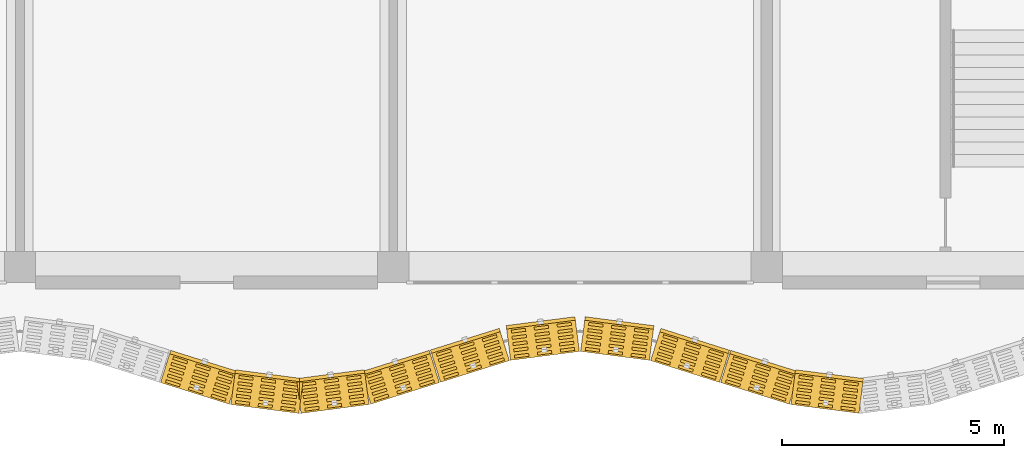
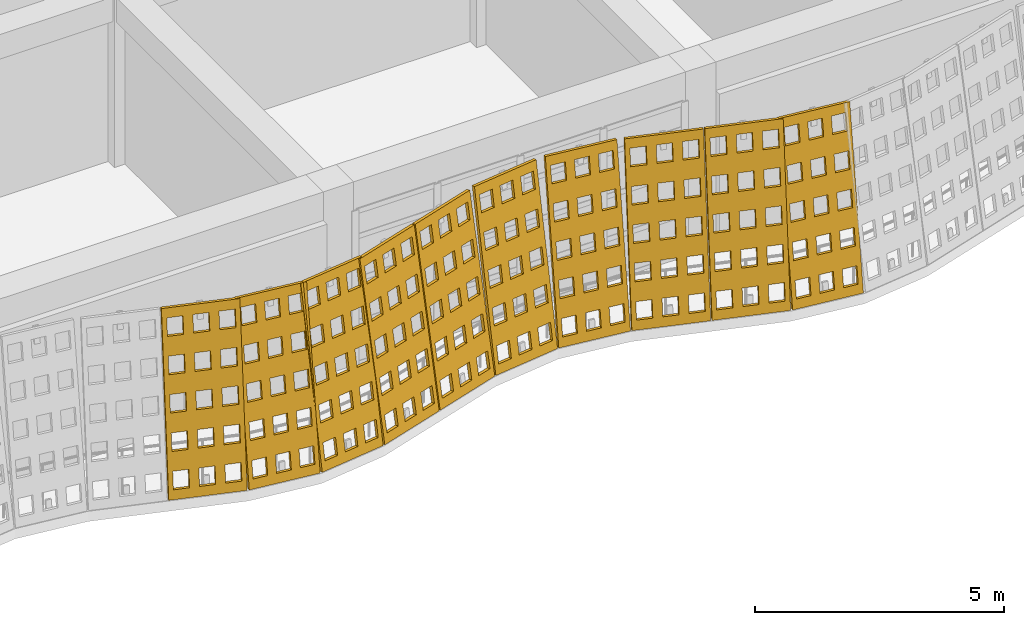
# One storey, part 118 of 162: 10 coverings.
"""IFC4 building model written with IfcOpenShell, lengths in metres."""

from ifc_helpers import new_model, si_unit, direction, frame, origin, place, context, subcontext, project, spatial, polyline, outline, extrude, material, layer, layer_set, type_object, element, save


model = new_model("IFC4")

# Units and contexts
model_context = context("Model", 3, precision=1e-05, world=origin(), true_north=direction((0.0, 1.0)))
body_context = subcontext(model_context, "Body", "Model", "MODEL_VIEW")
ifc_project = project(units=[si_unit("LENGTHUNIT", "METRE"), si_unit("AREAUNIT", "SQUARE_METRE"), si_unit("VOLUMEUNIT", "CUBIC_METRE"), si_unit("PLANEANGLEUNIT", "RADIAN"), si_unit("MASSUNIT", "GRAM", prefix="KILO")], contexts=[model_context])

# Site, building, storey
site_placement = place(None, origin())
site = spatial("IfcSite", under=ifc_project, at=site_placement, CompositionType="ELEMENT")
building_placement = place(site_placement, origin())
building = spatial("IfcBuilding", under=site, at=building_placement, Name="Rain Tree Exposition and Congress Centre", CompositionType="ELEMENT")
storey_placement = place(building_placement, frame((0.0, 0.0, 6.0)))
storey = spatial("IfcBuildingStorey", under=building, at=storey_placement, Name="L01", CompositionType="ELEMENT", Elevation=6.0)

# Coverings
ifc_material = material(Name="Perforated terracotta", Category="masonry")
ifc_layer = layer(ifc_material, 0.080078125)
ifc_layer_set = layer_set([ifc_layer], Name="Perforated terracotta")
covering_type = type_object("IfcCoveringType", Name="Terracotta screen 80", PredefinedType="CLADDING", material=ifc_layer_set)
covering_1_placement = place(storey_placement, frame((28.3505859375, -2.598388671875, 0.0126953125), z_axis=(0.295717964052, 0.942029390639, -0.158529217842), x_axis=(-0.954094597562, 0.29950542383, 0.0)))
element("IfcCovering", 1, at=covering_1_placement, inside=storey, type_object=covering_type, Name="wing/screen/L01/019", PredefinedType="CLADDING", context=body_context, shape_type="SweptSolid", body=[
    extrude(outline(polyline([(-1.62890625, 0.0), (-1.62890625, 4.291259765625), (-0.014892578125, 4.291259765625), (-0.014892578125, 0.0), (-1.62890625, 0.0)]), holes=[polyline([(-0.1171875, 0.221435546875), (-0.1171875, 0.63671875), (-0.45068359375, 0.63671875), (-0.45068359375, 0.221435546875), (-0.1171875, 0.221435546875)]), polyline([(-0.1171875, 1.07958984375), (-0.1171875, 1.4951171875), (-0.45068359375, 1.4951171875), (-0.45068359375, 1.07958984375), (-0.1171875, 1.07958984375)]), polyline([(-0.1171875, 1.93798828125), (-0.1171875, 2.353271484375), (-0.45068359375, 2.353271484375), (-0.45068359375, 1.93798828125), (-0.1171875, 1.93798828125)]), polyline([(-0.1171875, 2.796142578125), (-0.1171875, 3.21142578125), (-0.45068359375, 3.21142578125), (-0.45068359375, 2.796142578125), (-0.1171875, 2.796142578125)]), polyline([(-0.1171875, 3.654541015625), (-0.1171875, 4.06982421875), (-0.45068359375, 4.06982421875), (-0.45068359375, 3.654541015625), (-0.1171875, 3.654541015625)]), polyline([(-0.6552734375, 0.221435546875), (-0.6552734375, 0.63671875), (-0.98876953125, 0.63671875), (-0.98876953125, 0.221435546875), (-0.6552734375, 0.221435546875)]), polyline([(-0.6552734375, 1.07958984375), (-0.6552734375, 1.4951171875), (-0.98876953125, 1.4951171875), (-0.98876953125, 1.07958984375), (-0.6552734375, 1.07958984375)]), polyline([(-0.6552734375, 1.93798828125), (-0.6552734375, 2.353271484375), (-0.98876953125, 2.353271484375), (-0.98876953125, 1.93798828125), (-0.6552734375, 1.93798828125)]), polyline([(-0.6552734375, 2.796142578125), (-0.6552734375, 3.21142578125), (-0.98876953125, 3.21142578125), (-0.98876953125, 2.796142578125), (-0.6552734375, 2.796142578125)]), polyline([(-0.6552734375, 3.654541015625), (-0.6552734375, 4.06982421875), (-0.98876953125, 4.06982421875), (-0.98876953125, 3.654541015625), (-0.6552734375, 3.654541015625)]), polyline([(-1.193115234375, 0.221435546875), (-1.193115234375, 0.63671875), (-1.526611328125, 0.63671875), (-1.526611328125, 0.221435546875), (-1.193115234375, 0.221435546875)]), polyline([(-1.193115234375, 1.07958984375), (-1.193115234375, 1.4951171875), (-1.526611328125, 1.4951171875), (-1.526611328125, 1.07958984375), (-1.193115234375, 1.07958984375)]), polyline([(-1.193115234375, 1.93798828125), (-1.193115234375, 2.353271484375), (-1.526611328125, 2.353271484375), (-1.526611328125, 1.93798828125), (-1.193115234375, 1.93798828125)]), polyline([(-1.193115234375, 2.796142578125), (-1.193115234375, 3.21142578125), (-1.526611328125, 3.21142578125), (-1.526611328125, 2.796142578125), (-1.193115234375, 2.796142578125)]), polyline([(-1.193115234375, 3.654541015625), (-1.193115234375, 4.06982421875), (-1.526611328125, 4.06982421875), (-1.526611328125, 3.654541015625), (-1.193115234375, 3.654541015625)])]), origin(), (0.0, 0.0, 1.0), 0.080078125),
])
covering_2_placement = place(storey_placement, frame((29.92529296875, -3.093017578125, 0.01318359375), z_axis=(0.128349774249, 0.9779030419, -0.165021138321), x_axis=(-0.991496427865, 0.130133906157, 0.0)))
element("IfcCovering", 2, at=covering_2_placement, inside=storey, type_object=covering_type, Name="wing/screen/L01/020", PredefinedType="CLADDING", context=body_context, shape_type="SweptSolid", body=[
    extrude(outline(polyline([(-1.56298828125, 0.0), (-1.56298828125, 4.295166015625), (-0.02197265625, 4.295166015625), (-0.02197265625, 0.0), (-1.56298828125, 0.0)]), holes=[polyline([(-0.11962890625, 0.2216796875), (-0.11962890625, 0.63720703125), (-0.43798828125, 0.63720703125), (-0.43798828125, 0.2216796875), (-0.11962890625, 0.2216796875)]), polyline([(-0.11962890625, 1.080810546875), (-0.11962890625, 1.496337890625), (-0.43798828125, 1.496337890625), (-0.43798828125, 1.080810546875), (-0.11962890625, 1.080810546875)]), polyline([(-0.11962890625, 1.939697265625), (-0.11962890625, 2.35546875), (-0.43798828125, 2.35546875), (-0.43798828125, 1.939697265625), (-0.11962890625, 1.939697265625)]), polyline([(-0.11962890625, 2.798583984375), (-0.11962890625, 3.21435546875), (-0.43798828125, 3.21435546875), (-0.43798828125, 2.798583984375), (-0.11962890625, 2.798583984375)]), polyline([(-0.11962890625, 3.65771484375), (-0.11962890625, 4.073486328125), (-0.43798828125, 4.073486328125), (-0.43798828125, 3.65771484375), (-0.11962890625, 3.65771484375)]), polyline([(-0.63330078125, 0.2216796875), (-0.63330078125, 0.63720703125), (-0.95166015625, 0.63720703125), (-0.95166015625, 0.2216796875), (-0.63330078125, 0.2216796875)]), polyline([(-0.63330078125, 1.080810546875), (-0.63330078125, 1.496337890625), (-0.95166015625, 1.496337890625), (-0.95166015625, 1.080810546875), (-0.63330078125, 1.080810546875)]), polyline([(-0.63330078125, 1.939697265625), (-0.63330078125, 2.35546875), (-0.95166015625, 2.35546875), (-0.95166015625, 1.939697265625), (-0.63330078125, 1.939697265625)]), polyline([(-0.63330078125, 2.798583984375), (-0.63330078125, 3.21435546875), (-0.95166015625, 3.21435546875), (-0.95166015625, 2.798583984375), (-0.63330078125, 2.798583984375)]), polyline([(-0.63330078125, 3.65771484375), (-0.63330078125, 4.073486328125), (-0.95166015625, 4.073486328125), (-0.95166015625, 3.65771484375), (-0.63330078125, 3.65771484375)]), polyline([(-1.146728515625, 0.2216796875), (-1.146728515625, 0.63720703125), (-1.46533203125, 0.63720703125), (-1.46533203125, 0.2216796875), (-1.146728515625, 0.2216796875)]), polyline([(-1.146728515625, 1.080810546875), (-1.146728515625, 1.496337890625), (-1.46533203125, 1.496337890625), (-1.46533203125, 1.080810546875), (-1.146728515625, 1.080810546875)]), polyline([(-1.146728515625, 1.939697265625), (-1.146728515625, 2.35546875), (-1.46533203125, 2.35546875), (-1.46533203125, 1.939697265625), (-1.146728515625, 1.939697265625)]), polyline([(-1.146728515625, 2.798583984375), (-1.146728515625, 3.21435546875), (-1.46533203125, 3.21435546875), (-1.46533203125, 2.798583984375), (-1.146728515625, 2.798583984375)]), polyline([(-1.146728515625, 3.65771484375), (-1.146728515625, 4.073486328125), (-1.46533203125, 4.073486328125), (-1.46533203125, 3.65771484375), (-1.146728515625, 3.65771484375)])]), origin(), (0.0, 0.0, 1.0), 0.079833984375),
])
covering_3_placement = place(storey_placement, frame((31.499755859375, -3.298095703125, 0.01318359375), z_axis=(-0.128349774249, 0.9779030419, -0.165021138321), x_axis=(-0.991496427865, -0.130133906157, 0.0)))
element("IfcCovering", 3, at=covering_3_placement, inside=storey, type_object=covering_type, Name="wing/screen/L01/021", PredefinedType="CLADDING", context=body_context, shape_type="SweptSolid", body=[
    extrude(outline(polyline([(-1.56640625, 0.0), (-1.56640625, 4.295166015625), (-0.025390625, 4.295166015625), (-0.025390625, 0.0), (-1.56640625, 0.0)]), holes=[polyline([(-0.123046875, 0.2216796875), (-0.123046875, 0.63720703125), (-0.44140625, 0.63720703125), (-0.44140625, 0.2216796875), (-0.123046875, 0.2216796875)]), polyline([(-0.123046875, 1.080810546875), (-0.123046875, 1.496337890625), (-0.44140625, 1.496337890625), (-0.44140625, 1.080810546875), (-0.123046875, 1.080810546875)]), polyline([(-0.123046875, 1.939697265625), (-0.123046875, 2.35546875), (-0.44140625, 2.35546875), (-0.44140625, 1.939697265625), (-0.123046875, 1.939697265625)]), polyline([(-0.123046875, 2.798583984375), (-0.123046875, 3.21435546875), (-0.44140625, 3.21435546875), (-0.44140625, 2.798583984375), (-0.123046875, 2.798583984375)]), polyline([(-0.123046875, 3.65771484375), (-0.123046875, 4.073486328125), (-0.44140625, 4.073486328125), (-0.44140625, 3.65771484375), (-0.123046875, 3.65771484375)]), polyline([(-0.63671875, 0.2216796875), (-0.63671875, 0.63720703125), (-0.955078125, 0.63720703125), (-0.955078125, 0.2216796875), (-0.63671875, 0.2216796875)]), polyline([(-0.63671875, 1.080810546875), (-0.63671875, 1.496337890625), (-0.955078125, 1.496337890625), (-0.955078125, 1.080810546875), (-0.63671875, 1.080810546875)]), polyline([(-0.63671875, 1.939697265625), (-0.63671875, 2.35546875), (-0.955078125, 2.35546875), (-0.955078125, 1.939697265625), (-0.63671875, 1.939697265625)]), polyline([(-0.63671875, 2.798583984375), (-0.63671875, 3.21435546875), (-0.955078125, 3.21435546875), (-0.955078125, 2.798583984375), (-0.63671875, 2.798583984375)]), polyline([(-0.63671875, 3.65771484375), (-0.63671875, 4.073486328125), (-0.955078125, 4.073486328125), (-0.955078125, 3.65771484375), (-0.63671875, 3.65771484375)]), polyline([(-1.150146484375, 0.2216796875), (-1.150146484375, 0.63720703125), (-1.46875, 0.63720703125), (-1.46875, 0.2216796875), (-1.150146484375, 0.2216796875)]), polyline([(-1.150146484375, 1.080810546875), (-1.150146484375, 1.496337890625), (-1.46875, 1.496337890625), (-1.46875, 1.080810546875), (-1.150146484375, 1.080810546875)]), polyline([(-1.150146484375, 1.939697265625), (-1.150146484375, 2.35546875), (-1.46875, 2.35546875), (-1.46875, 1.939697265625), (-1.150146484375, 1.939697265625)]), polyline([(-1.150146484375, 2.798583984375), (-1.150146484375, 3.21435546875), (-1.46875, 3.21435546875), (-1.46875, 2.798583984375), (-1.150146484375, 2.798583984375)]), polyline([(-1.150146484375, 3.65771484375), (-1.150146484375, 4.073486328125), (-1.46875, 4.073486328125), (-1.46875, 3.65771484375), (-1.150146484375, 3.65771484375)])]), origin(), (0.0, 0.0, 1.0), 0.079833984375),
])
covering_4_placement = place(storey_placement, frame((33.074462890625, -3.093505859375, 0.0126953125), z_axis=(-0.295717964052, 0.942029390639, -0.158529217842), x_axis=(-0.954094597562, -0.29950542383, 0.0)))
element("IfcCovering", 4, at=covering_4_placement, inside=storey, type_object=covering_type, Name="wing/screen/L01/022", PredefinedType="CLADDING", context=body_context, shape_type="SweptSolid", body=[
    extrude(outline(polyline([(-1.635986328125, 0.0), (-1.635986328125, 4.291259765625), (-0.02197265625, 4.291259765625), (-0.02197265625, 0.0), (-1.635986328125, 0.0)]), holes=[polyline([(-0.124267578125, 0.221435546875), (-0.124267578125, 0.63671875), (-0.457763671875, 0.63671875), (-0.457763671875, 0.221435546875), (-0.124267578125, 0.221435546875)]), polyline([(-0.124267578125, 1.07958984375), (-0.124267578125, 1.4951171875), (-0.457763671875, 1.4951171875), (-0.457763671875, 1.07958984375), (-0.124267578125, 1.07958984375)]), polyline([(-0.124267578125, 1.93798828125), (-0.124267578125, 2.353271484375), (-0.457763671875, 2.353271484375), (-0.457763671875, 1.93798828125), (-0.124267578125, 1.93798828125)]), polyline([(-0.124267578125, 2.796142578125), (-0.124267578125, 3.21142578125), (-0.457763671875, 3.21142578125), (-0.457763671875, 2.796142578125), (-0.124267578125, 2.796142578125)]), polyline([(-0.124267578125, 3.654541015625), (-0.124267578125, 4.06982421875), (-0.457763671875, 4.06982421875), (-0.457763671875, 3.654541015625), (-0.124267578125, 3.654541015625)]), polyline([(-0.662109375, 0.221435546875), (-0.662109375, 0.63671875), (-0.995849609375, 0.63671875), (-0.995849609375, 0.221435546875), (-0.662109375, 0.221435546875)]), polyline([(-0.662109375, 1.07958984375), (-0.662109375, 1.4951171875), (-0.995849609375, 1.4951171875), (-0.995849609375, 1.07958984375), (-0.662109375, 1.07958984375)]), polyline([(-0.662109375, 1.93798828125), (-0.662109375, 2.353271484375), (-0.995849609375, 2.353271484375), (-0.995849609375, 1.93798828125), (-0.662109375, 1.93798828125)]), polyline([(-0.662109375, 2.796142578125), (-0.662109375, 3.21142578125), (-0.995849609375, 3.21142578125), (-0.995849609375, 2.796142578125), (-0.662109375, 2.796142578125)]), polyline([(-0.662109375, 3.654541015625), (-0.662109375, 4.06982421875), (-0.995849609375, 4.06982421875), (-0.995849609375, 3.654541015625), (-0.662109375, 3.654541015625)]), polyline([(-1.2001953125, 0.221435546875), (-1.2001953125, 0.63671875), (-1.53369140625, 0.63671875), (-1.53369140625, 0.221435546875), (-1.2001953125, 0.221435546875)]), polyline([(-1.2001953125, 1.07958984375), (-1.2001953125, 1.4951171875), (-1.53369140625, 1.4951171875), (-1.53369140625, 1.07958984375), (-1.2001953125, 1.07958984375)]), polyline([(-1.2001953125, 1.93798828125), (-1.2001953125, 2.353271484375), (-1.53369140625, 2.353271484375), (-1.53369140625, 1.93798828125), (-1.2001953125, 1.93798828125)]), polyline([(-1.2001953125, 2.796142578125), (-1.2001953125, 3.21142578125), (-1.53369140625, 3.21142578125), (-1.53369140625, 2.796142578125), (-1.2001953125, 2.796142578125)]), polyline([(-1.2001953125, 3.654541015625), (-1.2001953125, 4.06982421875), (-1.53369140625, 4.06982421875), (-1.53369140625, 3.654541015625), (-1.2001953125, 3.654541015625)])]), origin(), (0.0, 0.0, 1.0), 0.080078125),
])
covering_5_placement = place(storey_placement, frame((34.6494140625, -2.598388671875, 0.0126953125), z_axis=(-0.295717964052, 0.942029390639, -0.158529217842), x_axis=(-0.954094597562, -0.29950542383, 0.0)))
element("IfcCovering", 5, at=covering_5_placement, inside=storey, type_object=covering_type, Name="wing/screen/L01/023", PredefinedType="CLADDING", context=body_context, shape_type="SweptSolid", body=[
    extrude(outline(polyline([(-1.635986328125, 0.0), (-1.635986328125, 4.291259765625), (-0.014892578125, 4.291259765625), (-0.014892578125, 0.0), (-1.635986328125, 0.0)]), holes=[polyline([(-0.11767578125, 0.221435546875), (-0.11767578125, 0.63671875), (-0.45263671875, 0.63671875), (-0.45263671875, 0.221435546875), (-0.11767578125, 0.221435546875)]), polyline([(-0.11767578125, 1.07958984375), (-0.11767578125, 1.4951171875), (-0.45263671875, 1.4951171875), (-0.45263671875, 1.07958984375), (-0.11767578125, 1.07958984375)]), polyline([(-0.11767578125, 1.93798828125), (-0.11767578125, 2.353271484375), (-0.45263671875, 2.353271484375), (-0.45263671875, 1.93798828125), (-0.11767578125, 1.93798828125)]), polyline([(-0.11767578125, 2.796142578125), (-0.11767578125, 3.21142578125), (-0.45263671875, 3.21142578125), (-0.45263671875, 2.796142578125), (-0.11767578125, 2.796142578125)]), polyline([(-0.11767578125, 3.654541015625), (-0.11767578125, 4.06982421875), (-0.45263671875, 4.06982421875), (-0.45263671875, 3.654541015625), (-0.11767578125, 3.654541015625)]), polyline([(-0.657958984375, 0.221435546875), (-0.657958984375, 0.63671875), (-0.992919921875, 0.63671875), (-0.992919921875, 0.221435546875), (-0.657958984375, 0.221435546875)]), polyline([(-0.657958984375, 1.07958984375), (-0.657958984375, 1.4951171875), (-0.992919921875, 1.4951171875), (-0.992919921875, 1.07958984375), (-0.657958984375, 1.07958984375)]), polyline([(-0.657958984375, 1.93798828125), (-0.657958984375, 2.353271484375), (-0.992919921875, 2.353271484375), (-0.992919921875, 1.93798828125), (-0.657958984375, 1.93798828125)]), polyline([(-0.657958984375, 2.796142578125), (-0.657958984375, 3.21142578125), (-0.992919921875, 3.21142578125), (-0.992919921875, 2.796142578125), (-0.657958984375, 2.796142578125)]), polyline([(-0.657958984375, 3.654541015625), (-0.657958984375, 4.06982421875), (-0.992919921875, 4.06982421875), (-0.992919921875, 3.654541015625), (-0.657958984375, 3.654541015625)]), polyline([(-1.1982421875, 0.221435546875), (-1.1982421875, 0.63671875), (-1.533203125, 0.63671875), (-1.533203125, 0.221435546875), (-1.1982421875, 0.221435546875)]), polyline([(-1.1982421875, 1.07958984375), (-1.1982421875, 1.4951171875), (-1.533203125, 1.4951171875), (-1.533203125, 1.07958984375), (-1.1982421875, 1.07958984375)]), polyline([(-1.1982421875, 1.93798828125), (-1.1982421875, 2.353271484375), (-1.533203125, 2.353271484375), (-1.533203125, 1.93798828125), (-1.1982421875, 1.93798828125)]), polyline([(-1.1982421875, 2.796142578125), (-1.1982421875, 3.21142578125), (-1.533203125, 3.21142578125), (-1.533203125, 2.796142578125), (-1.1982421875, 2.796142578125)]), polyline([(-1.1982421875, 3.654541015625), (-1.1982421875, 4.06982421875), (-1.533203125, 4.06982421875), (-1.533203125, 3.654541015625), (-1.1982421875, 3.654541015625)])]), origin(), (0.0, 0.0, 1.0), 0.080078125),
])
covering_6_placement = place(storey_placement, frame((36.224609375, -2.10302734375, 0.01318359375), z_axis=(-0.125342414455, 0.978282259159, -0.165085131233), x_axis=(-0.991891686382, -0.127086122318, 0.0)))
element("IfcCovering", 6, at=covering_6_placement, inside=storey, type_object=covering_type, Name="wing/screen/L01/024", PredefinedType="CLADDING", context=body_context, shape_type="SweptSolid", body=[
    extrude(outline(polyline([(-1.5732421875, 0.0), (-1.5732421875, 4.295166015625), (-0.014892578125, 4.295166015625), (-0.014892578125, 0.0), (-1.5732421875, 0.0)]), holes=[polyline([(-0.11376953125, 0.2216796875), (-0.11376953125, 0.63720703125), (-0.435791015625, 0.63720703125), (-0.435791015625, 0.2216796875), (-0.11376953125, 0.2216796875)]), polyline([(-0.11376953125, 1.080810546875), (-0.11376953125, 1.496337890625), (-0.435791015625, 1.496337890625), (-0.435791015625, 1.080810546875), (-0.11376953125, 1.080810546875)]), polyline([(-0.11376953125, 1.939697265625), (-0.11376953125, 2.35546875), (-0.435791015625, 2.35546875), (-0.435791015625, 1.939697265625), (-0.11376953125, 1.939697265625)]), polyline([(-0.11376953125, 2.798583984375), (-0.11376953125, 3.21435546875), (-0.435791015625, 3.21435546875), (-0.435791015625, 2.798583984375), (-0.11376953125, 2.798583984375)]), polyline([(-0.11376953125, 3.65771484375), (-0.11376953125, 4.073486328125), (-0.435791015625, 4.073486328125), (-0.435791015625, 3.65771484375), (-0.11376953125, 3.65771484375)]), polyline([(-0.633056640625, 0.2216796875), (-0.633056640625, 0.63720703125), (-0.955078125, 0.63720703125), (-0.955078125, 0.2216796875), (-0.633056640625, 0.2216796875)]), polyline([(-0.633056640625, 1.080810546875), (-0.633056640625, 1.496337890625), (-0.955078125, 1.496337890625), (-0.955078125, 1.080810546875), (-0.633056640625, 1.080810546875)]), polyline([(-0.633056640625, 1.939697265625), (-0.633056640625, 2.35546875), (-0.955078125, 2.35546875), (-0.955078125, 1.939697265625), (-0.633056640625, 1.939697265625)]), polyline([(-0.633056640625, 2.798583984375), (-0.633056640625, 3.21435546875), (-0.955078125, 3.21435546875), (-0.955078125, 2.798583984375), (-0.633056640625, 2.798583984375)]), polyline([(-0.633056640625, 3.65771484375), (-0.633056640625, 4.073486328125), (-0.955078125, 4.073486328125), (-0.955078125, 3.65771484375), (-0.633056640625, 3.65771484375)]), polyline([(-1.152587890625, 0.2216796875), (-1.152587890625, 0.63720703125), (-1.474609375, 0.63720703125), (-1.474609375, 0.2216796875), (-1.152587890625, 0.2216796875)]), polyline([(-1.152587890625, 1.080810546875), (-1.152587890625, 1.496337890625), (-1.474609375, 1.496337890625), (-1.474609375, 1.080810546875), (-1.152587890625, 1.080810546875)]), polyline([(-1.152587890625, 1.939697265625), (-1.152587890625, 2.35546875), (-1.474609375, 2.35546875), (-1.474609375, 1.939697265625), (-1.152587890625, 1.939697265625)]), polyline([(-1.152587890625, 2.798583984375), (-1.152587890625, 3.21435546875), (-1.474609375, 3.21435546875), (-1.474609375, 2.798583984375), (-1.152587890625, 2.798583984375)]), polyline([(-1.152587890625, 3.65771484375), (-1.152587890625, 4.073486328125), (-1.474609375, 4.073486328125), (-1.474609375, 3.65771484375), (-1.152587890625, 3.65771484375)])]), origin(), (0.0, 0.0, 1.0), 0.079833984375),
])
covering_7_placement = place(storey_placement, frame((37.80029296875, -1.898193359375, 0.01318359375), z_axis=(0.127967328105, 0.978036007662, -0.16452942185), x_axis=(-0.991548658387, 0.129735338481, 0.0)))
element("IfcCovering", 7, at=covering_7_placement, inside=storey, type_object=covering_type, Name="wing/screen/L01/025", PredefinedType="CLADDING", context=body_context, shape_type="SweptSolid", body=[
    extrude(outline(polyline([(-1.5732421875, 0.0), (-1.5732421875, 4.295166015625), (-0.014892578125, 4.295166015625), (-0.014892578125, 0.0), (-1.5732421875, 0.0)]), holes=[polyline([(-0.11376953125, 0.2216796875), (-0.11376953125, 0.63720703125), (-0.435791015625, 0.63720703125), (-0.435791015625, 0.2216796875), (-0.11376953125, 0.2216796875)]), polyline([(-0.11376953125, 1.080810546875), (-0.11376953125, 1.496337890625), (-0.435791015625, 1.496337890625), (-0.435791015625, 1.080810546875), (-0.11376953125, 1.080810546875)]), polyline([(-0.11376953125, 1.939697265625), (-0.11376953125, 2.35546875), (-0.435791015625, 2.35546875), (-0.435791015625, 1.939697265625), (-0.11376953125, 1.939697265625)]), polyline([(-0.11376953125, 2.798583984375), (-0.11376953125, 3.21435546875), (-0.435791015625, 3.21435546875), (-0.435791015625, 2.798583984375), (-0.11376953125, 2.798583984375)]), polyline([(-0.11376953125, 3.65771484375), (-0.11376953125, 4.073486328125), (-0.435791015625, 4.073486328125), (-0.435791015625, 3.65771484375), (-0.11376953125, 3.65771484375)]), polyline([(-0.633056640625, 0.2216796875), (-0.633056640625, 0.63720703125), (-0.955078125, 0.63720703125), (-0.955078125, 0.2216796875), (-0.633056640625, 0.2216796875)]), polyline([(-0.633056640625, 1.080810546875), (-0.633056640625, 1.496337890625), (-0.955078125, 1.496337890625), (-0.955078125, 1.080810546875), (-0.633056640625, 1.080810546875)]), polyline([(-0.633056640625, 1.939697265625), (-0.633056640625, 2.35546875), (-0.955078125, 2.35546875), (-0.955078125, 1.939697265625), (-0.633056640625, 1.939697265625)]), polyline([(-0.633056640625, 2.798583984375), (-0.633056640625, 3.21435546875), (-0.955078125, 3.21435546875), (-0.955078125, 2.798583984375), (-0.633056640625, 2.798583984375)]), polyline([(-0.633056640625, 3.65771484375), (-0.633056640625, 4.073486328125), (-0.955078125, 4.073486328125), (-0.955078125, 3.65771484375), (-0.633056640625, 3.65771484375)]), polyline([(-1.152587890625, 0.2216796875), (-1.152587890625, 0.63720703125), (-1.474609375, 0.63720703125), (-1.474609375, 0.2216796875), (-1.152587890625, 0.2216796875)]), polyline([(-1.152587890625, 1.080810546875), (-1.152587890625, 1.496337890625), (-1.474609375, 1.496337890625), (-1.474609375, 1.080810546875), (-1.152587890625, 1.080810546875)]), polyline([(-1.152587890625, 1.939697265625), (-1.152587890625, 2.35546875), (-1.474609375, 2.35546875), (-1.474609375, 1.939697265625), (-1.152587890625, 1.939697265625)]), polyline([(-1.152587890625, 2.798583984375), (-1.152587890625, 3.21435546875), (-1.474609375, 3.21435546875), (-1.474609375, 2.798583984375), (-1.152587890625, 2.798583984375)]), polyline([(-1.152587890625, 3.65771484375), (-1.152587890625, 4.073486328125), (-1.474609375, 4.073486328125), (-1.474609375, 3.65771484375), (-1.152587890625, 3.65771484375)])]), origin(), (0.0, 0.0, 1.0), 0.080078125),
])
covering_8_placement = place(storey_placement, frame((39.37548828125, -2.103515625, 0.0126953125), z_axis=(0.298496232686, 0.941176896939, -0.158385756119), x_axis=(-0.953208958144, 0.302312226207, 0.0)))
element("IfcCovering", 8, at=covering_8_placement, inside=storey, type_object=covering_type, Name="wing/screen/L01/026", PredefinedType="CLADDING", context=body_context, shape_type="SweptSolid", body=[
    extrude(outline(polyline([(-1.635986328125, 0.0), (-1.635986328125, 4.291259765625), (-0.014892578125, 4.291259765625), (-0.014892578125, 0.0), (-1.635986328125, 0.0)]), holes=[polyline([(-0.11767578125, 0.221435546875), (-0.11767578125, 0.63671875), (-0.45263671875, 0.63671875), (-0.45263671875, 0.221435546875), (-0.11767578125, 0.221435546875)]), polyline([(-0.11767578125, 1.07958984375), (-0.11767578125, 1.4951171875), (-0.45263671875, 1.4951171875), (-0.45263671875, 1.07958984375), (-0.11767578125, 1.07958984375)]), polyline([(-0.11767578125, 1.93798828125), (-0.11767578125, 2.353271484375), (-0.45263671875, 2.353271484375), (-0.45263671875, 1.93798828125), (-0.11767578125, 1.93798828125)]), polyline([(-0.11767578125, 2.796142578125), (-0.11767578125, 3.21142578125), (-0.45263671875, 3.21142578125), (-0.45263671875, 2.796142578125), (-0.11767578125, 2.796142578125)]), polyline([(-0.11767578125, 3.654541015625), (-0.11767578125, 4.06982421875), (-0.45263671875, 4.06982421875), (-0.45263671875, 3.654541015625), (-0.11767578125, 3.654541015625)]), polyline([(-0.657958984375, 0.221435546875), (-0.657958984375, 0.63671875), (-0.992919921875, 0.63671875), (-0.992919921875, 0.221435546875), (-0.657958984375, 0.221435546875)]), polyline([(-0.657958984375, 1.07958984375), (-0.657958984375, 1.4951171875), (-0.992919921875, 1.4951171875), (-0.992919921875, 1.07958984375), (-0.657958984375, 1.07958984375)]), polyline([(-0.657958984375, 1.93798828125), (-0.657958984375, 2.353271484375), (-0.992919921875, 2.353271484375), (-0.992919921875, 1.93798828125), (-0.657958984375, 1.93798828125)]), polyline([(-0.657958984375, 2.796142578125), (-0.657958984375, 3.21142578125), (-0.992919921875, 3.21142578125), (-0.992919921875, 2.796142578125), (-0.657958984375, 2.796142578125)]), polyline([(-0.657958984375, 3.654541015625), (-0.657958984375, 4.06982421875), (-0.992919921875, 4.06982421875), (-0.992919921875, 3.654541015625), (-0.657958984375, 3.654541015625)]), polyline([(-1.1982421875, 0.221435546875), (-1.1982421875, 0.63671875), (-1.533203125, 0.63671875), (-1.533203125, 0.221435546875), (-1.1982421875, 0.221435546875)]), polyline([(-1.1982421875, 1.07958984375), (-1.1982421875, 1.4951171875), (-1.533203125, 1.4951171875), (-1.533203125, 1.07958984375), (-1.1982421875, 1.07958984375)]), polyline([(-1.1982421875, 1.93798828125), (-1.1982421875, 2.353271484375), (-1.533203125, 2.353271484375), (-1.533203125, 1.93798828125), (-1.1982421875, 1.93798828125)]), polyline([(-1.1982421875, 2.796142578125), (-1.1982421875, 3.21142578125), (-1.533203125, 3.21142578125), (-1.533203125, 2.796142578125), (-1.1982421875, 2.796142578125)]), polyline([(-1.1982421875, 3.654541015625), (-1.1982421875, 4.06982421875), (-1.533203125, 4.06982421875), (-1.533203125, 3.654541015625), (-1.1982421875, 3.654541015625)])]), origin(), (0.0, 0.0, 1.0), 0.080078125),
])
covering_9_placement = place(storey_placement, frame((40.95068359375, -2.598388671875, 0.0126953125), z_axis=(0.295717964052, 0.942029390639, -0.158529217842), x_axis=(-0.954094597562, 0.29950542383, 0.0)))
element("IfcCovering", 9, at=covering_9_placement, inside=storey, type_object=covering_type, Name="wing/screen/L01/027", PredefinedType="CLADDING", context=body_context, shape_type="SweptSolid", body=[
    extrude(outline(polyline([(-1.62890625, 0.0), (-1.62890625, 4.291259765625), (-0.014892578125, 4.291259765625), (-0.014892578125, 0.0), (-1.62890625, 0.0)]), holes=[polyline([(-0.1171875, 0.221435546875), (-0.1171875, 0.63671875), (-0.45068359375, 0.63671875), (-0.45068359375, 0.221435546875), (-0.1171875, 0.221435546875)]), polyline([(-0.1171875, 1.07958984375), (-0.1171875, 1.4951171875), (-0.45068359375, 1.4951171875), (-0.45068359375, 1.07958984375), (-0.1171875, 1.07958984375)]), polyline([(-0.1171875, 1.93798828125), (-0.1171875, 2.353271484375), (-0.45068359375, 2.353271484375), (-0.45068359375, 1.93798828125), (-0.1171875, 1.93798828125)]), polyline([(-0.1171875, 2.796142578125), (-0.1171875, 3.21142578125), (-0.45068359375, 3.21142578125), (-0.45068359375, 2.796142578125), (-0.1171875, 2.796142578125)]), polyline([(-0.1171875, 3.654541015625), (-0.1171875, 4.06982421875), (-0.45068359375, 4.06982421875), (-0.45068359375, 3.654541015625), (-0.1171875, 3.654541015625)]), polyline([(-0.6552734375, 0.221435546875), (-0.6552734375, 0.63671875), (-0.98876953125, 0.63671875), (-0.98876953125, 0.221435546875), (-0.6552734375, 0.221435546875)]), polyline([(-0.6552734375, 1.07958984375), (-0.6552734375, 1.4951171875), (-0.98876953125, 1.4951171875), (-0.98876953125, 1.07958984375), (-0.6552734375, 1.07958984375)]), polyline([(-0.6552734375, 1.93798828125), (-0.6552734375, 2.353271484375), (-0.98876953125, 2.353271484375), (-0.98876953125, 1.93798828125), (-0.6552734375, 1.93798828125)]), polyline([(-0.6552734375, 2.796142578125), (-0.6552734375, 3.21142578125), (-0.98876953125, 3.21142578125), (-0.98876953125, 2.796142578125), (-0.6552734375, 2.796142578125)]), polyline([(-0.6552734375, 3.654541015625), (-0.6552734375, 4.06982421875), (-0.98876953125, 4.06982421875), (-0.98876953125, 3.654541015625), (-0.6552734375, 3.654541015625)]), polyline([(-1.193115234375, 0.221435546875), (-1.193115234375, 0.63671875), (-1.526611328125, 0.63671875), (-1.526611328125, 0.221435546875), (-1.193115234375, 0.221435546875)]), polyline([(-1.193115234375, 1.07958984375), (-1.193115234375, 1.4951171875), (-1.526611328125, 1.4951171875), (-1.526611328125, 1.07958984375), (-1.193115234375, 1.07958984375)]), polyline([(-1.193115234375, 1.93798828125), (-1.193115234375, 2.353271484375), (-1.526611328125, 2.353271484375), (-1.526611328125, 1.93798828125), (-1.193115234375, 1.93798828125)]), polyline([(-1.193115234375, 2.796142578125), (-1.193115234375, 3.21142578125), (-1.526611328125, 3.21142578125), (-1.526611328125, 2.796142578125), (-1.193115234375, 2.796142578125)]), polyline([(-1.193115234375, 3.654541015625), (-1.193115234375, 4.06982421875), (-1.526611328125, 4.06982421875), (-1.526611328125, 3.654541015625), (-1.193115234375, 3.654541015625)])]), origin(), (0.0, 0.0, 1.0), 0.080078125),
])
covering_10_placement = place(storey_placement, frame((42.525390625, -3.093017578125, 0.01318359375), z_axis=(0.125342414455, 0.978282259159, -0.165085131233), x_axis=(-0.991891686382, 0.127086122318, 0.0)))
element("IfcCovering", 10, at=covering_10_placement, inside=storey, type_object=covering_type, Name="wing/screen/L01/028", PredefinedType="CLADDING", context=body_context, shape_type="SweptSolid", body=[
    extrude(outline(polyline([(-1.56298828125, 0.0), (-1.56298828125, 4.295166015625), (-0.02197265625, 4.295166015625), (-0.02197265625, 0.0), (-1.56298828125, 0.0)]), holes=[polyline([(-0.11962890625, 0.2216796875), (-0.11962890625, 0.63720703125), (-0.43798828125, 0.63720703125), (-0.43798828125, 0.2216796875), (-0.11962890625, 0.2216796875)]), polyline([(-0.11962890625, 1.080810546875), (-0.11962890625, 1.496337890625), (-0.43798828125, 1.496337890625), (-0.43798828125, 1.080810546875), (-0.11962890625, 1.080810546875)]), polyline([(-0.11962890625, 1.939697265625), (-0.11962890625, 2.35546875), (-0.43798828125, 2.35546875), (-0.43798828125, 1.939697265625), (-0.11962890625, 1.939697265625)]), polyline([(-0.11962890625, 2.798583984375), (-0.11962890625, 3.21435546875), (-0.43798828125, 3.21435546875), (-0.43798828125, 2.798583984375), (-0.11962890625, 2.798583984375)]), polyline([(-0.11962890625, 3.65771484375), (-0.11962890625, 4.073486328125), (-0.43798828125, 4.073486328125), (-0.43798828125, 3.65771484375), (-0.11962890625, 3.65771484375)]), polyline([(-0.63330078125, 0.2216796875), (-0.63330078125, 0.63720703125), (-0.95166015625, 0.63720703125), (-0.95166015625, 0.2216796875), (-0.63330078125, 0.2216796875)]), polyline([(-0.63330078125, 1.080810546875), (-0.63330078125, 1.496337890625), (-0.95166015625, 1.496337890625), (-0.95166015625, 1.080810546875), (-0.63330078125, 1.080810546875)]), polyline([(-0.63330078125, 1.939697265625), (-0.63330078125, 2.35546875), (-0.95166015625, 2.35546875), (-0.95166015625, 1.939697265625), (-0.63330078125, 1.939697265625)]), polyline([(-0.63330078125, 2.798583984375), (-0.63330078125, 3.21435546875), (-0.95166015625, 3.21435546875), (-0.95166015625, 2.798583984375), (-0.63330078125, 2.798583984375)]), polyline([(-0.63330078125, 3.65771484375), (-0.63330078125, 4.073486328125), (-0.95166015625, 4.073486328125), (-0.95166015625, 3.65771484375), (-0.63330078125, 3.65771484375)]), polyline([(-1.146728515625, 0.2216796875), (-1.146728515625, 0.63720703125), (-1.46533203125, 0.63720703125), (-1.46533203125, 0.2216796875), (-1.146728515625, 0.2216796875)]), polyline([(-1.146728515625, 1.080810546875), (-1.146728515625, 1.496337890625), (-1.46533203125, 1.496337890625), (-1.46533203125, 1.080810546875), (-1.146728515625, 1.080810546875)]), polyline([(-1.146728515625, 1.939697265625), (-1.146728515625, 2.35546875), (-1.46533203125, 2.35546875), (-1.46533203125, 1.939697265625), (-1.146728515625, 1.939697265625)]), polyline([(-1.146728515625, 2.798583984375), (-1.146728515625, 3.21435546875), (-1.46533203125, 3.21435546875), (-1.46533203125, 2.798583984375), (-1.146728515625, 2.798583984375)]), polyline([(-1.146728515625, 3.65771484375), (-1.146728515625, 4.073486328125), (-1.46533203125, 4.073486328125), (-1.46533203125, 3.65771484375), (-1.146728515625, 3.65771484375)])]), origin(), (0.0, 0.0, 1.0), 0.079833984375),
])

save(model, "model.ifc")
